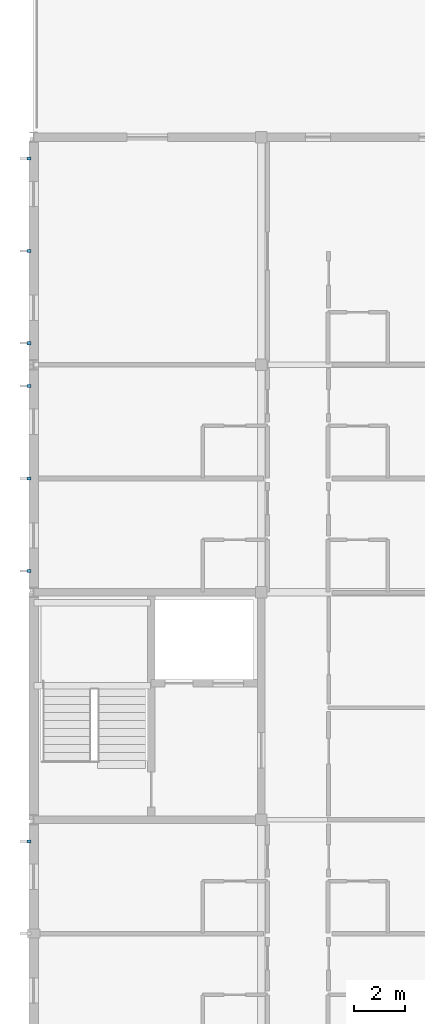
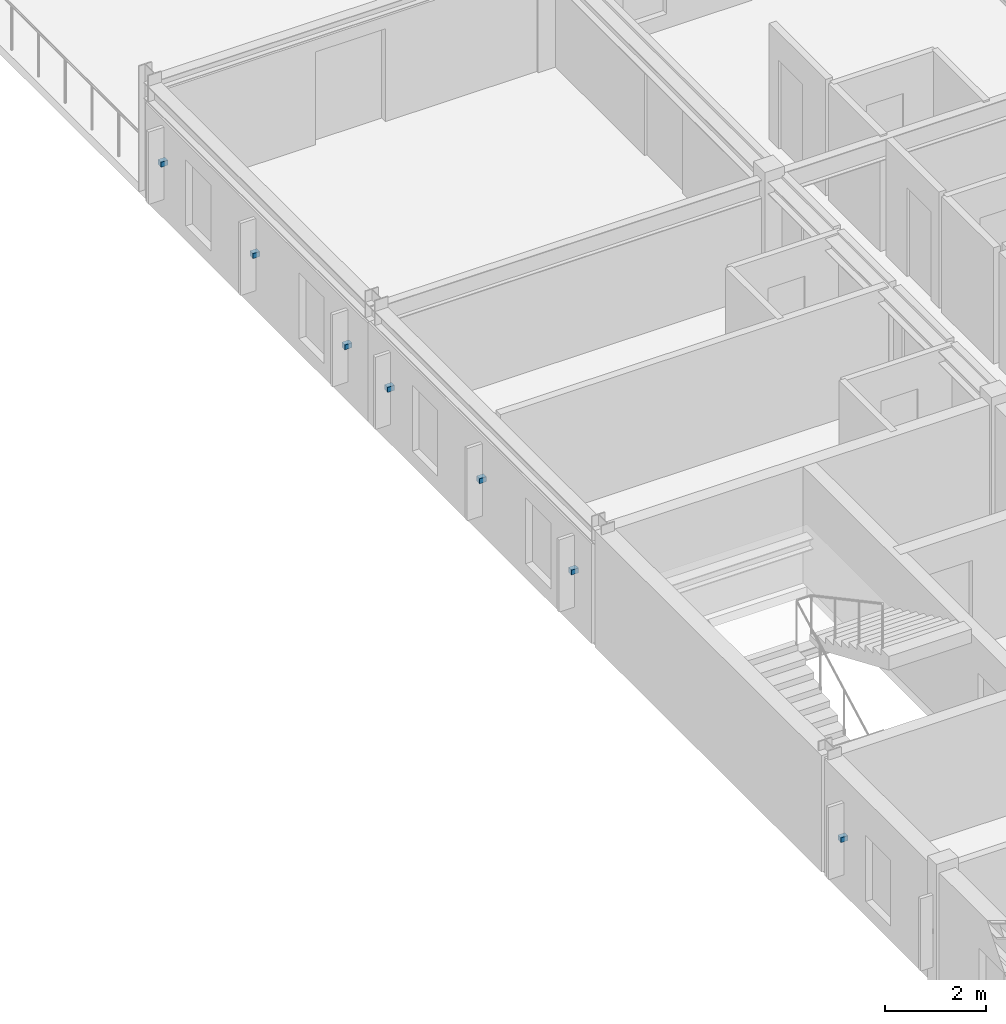
# One storey, part 17 of 20: 7 discrete accessories.
"""IFC4 building model written with IfcOpenShell, lengths in metres."""

from ifc_helpers import new_model, si_unit, direction, frame, origin, origin_2d, place, context, subcontext, project, spatial, rectangle, extrude, material, type_object, element, save


model = new_model("IFC4")

# Units and contexts
model_context = context("Model", 3, precision=1e-05, world=origin(), true_north=direction((0.0, 1.0)))
body_context = subcontext(model_context, "Body", "Model", "MODEL_VIEW")
ifc_project = project(units=[si_unit("LENGTHUNIT", "METRE"), si_unit("AREAUNIT", "SQUARE_METRE"), si_unit("VOLUMEUNIT", "CUBIC_METRE"), si_unit("PLANEANGLEUNIT", "RADIAN"), si_unit("MASSUNIT", "GRAM", prefix="KILO")], contexts=[model_context])

# Site, building, storey
site_placement = place(None, origin())
site = spatial("IfcSite", under=ifc_project, at=site_placement, CompositionType="ELEMENT")
building_placement = place(site_placement, origin())
building = spatial("IfcBuilding", under=site, at=building_placement, Name="Palais des Congres Ocreval", CompositionType="ELEMENT")
storey_placement = place(building_placement, frame((0.0, 0.0, 20.639892578125)))
storey = spatial("IfcBuildingStorey", under=building, at=storey_placement, Name="L06", CompositionType="ELEMENT", Elevation=20.639892578125)

# Discrete accessories
ifc_material = material(Name="Steel S355", Category="steel")
discrete_accessory_type = type_object("IfcDiscreteAccessoryType", Name="Stainless Brise-Soleil Fixing Bracket", PredefinedType="BRACKET", material=ifc_material)
for number, where, z_axis, x_axis, name in (
    (1, (-0.18994140625, 35.14990234375, 1.2900390625), (0.0, 0.0, 1.0), (-1.0, 0.0, 0.0), "Celosia Fixing Bracket BK01"),
    (2, (-0.18994140625, 45.85009765625, 1.2900390625), (0.0, 0.0, 1.0), (-1.0, 0.0, 0.0), "Celosia Fixing Bracket BK01"),
    (3, (-0.18994140625, 49.5, 1.2900390625), (0.0, 0.0, 1.0), (-1.0, 0.0, 0.0), "Celosia Fixing Bracket BK01"),
    (4, (-0.18994140625, 53.14990234375, 1.2900390625), (0.0, 0.0, 1.0), (-1.0, 0.0, 0.0), "Celosia Fixing Bracket BK01"),
    (5, (-0.18994140625, 54.85009765625, 1.2900390625), (0.0, 0.0, 1.0), (-1.0, 0.0, 0.0), "Celosia Fixing Bracket BK01"),
    (6, (-0.18994140625, 58.5, 1.2900390625), (0.0, 0.0, 1.0), (-1.0, 0.0, 0.0), "Celosia Fixing Bracket BK01"),
    (7, (-0.18994140625, 62.14990234375, 1.2900390625), (0.0, 0.0, 1.0), (-1.0, 0.0, 0.0), "Celosia Fixing Bracket BK01"),
):
    element("IfcDiscreteAccessory", number, at=place(storey_placement, frame(where, z_axis=z_axis, x_axis=x_axis)), inside=storey, type_object=discrete_accessory_type, Name=name, PredefinedType="BRACKET", context=body_context, shape_type="SweptSolid", body=[
        extrude(rectangle(XDim=0.159912109375, YDim=0.1201171875, at=origin_2d()), origin(), (0.0, 0.0, 1.0), 0.1201171875),
    ])

save(model, "model.ifc")
